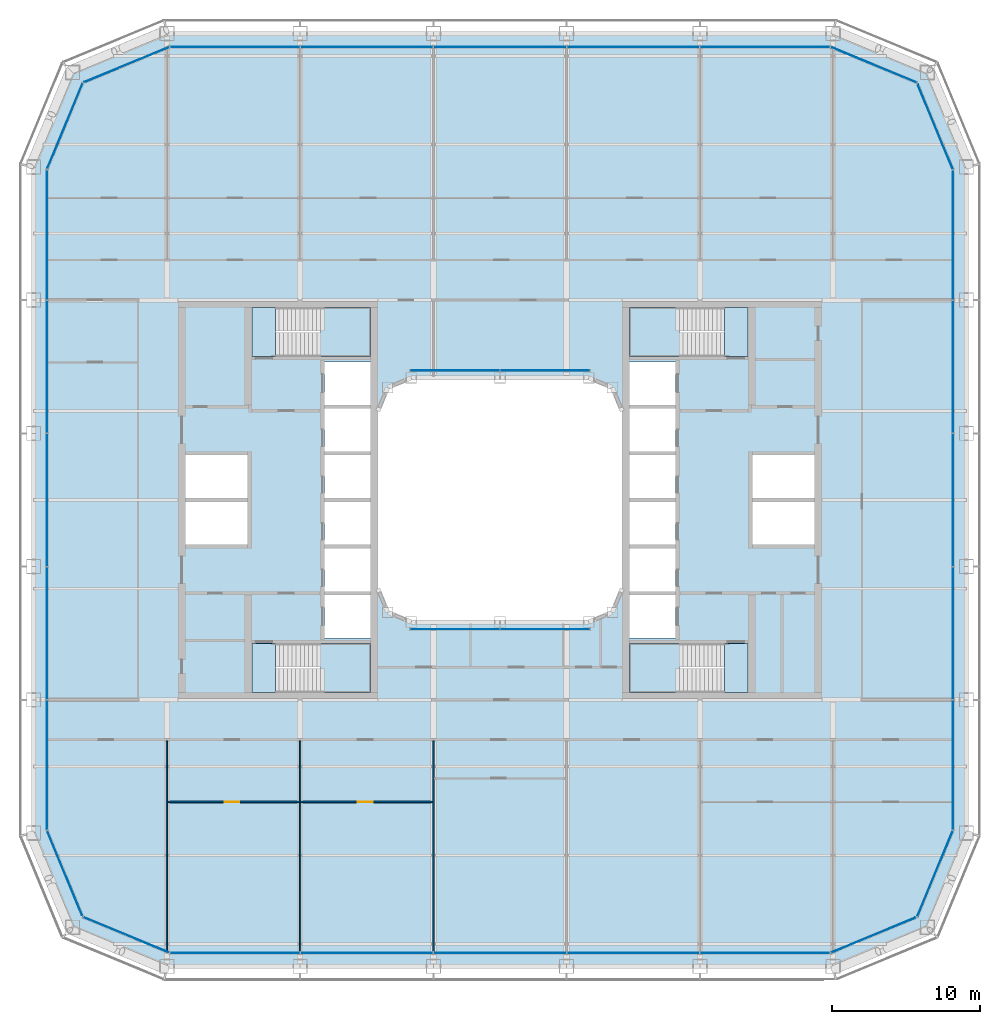
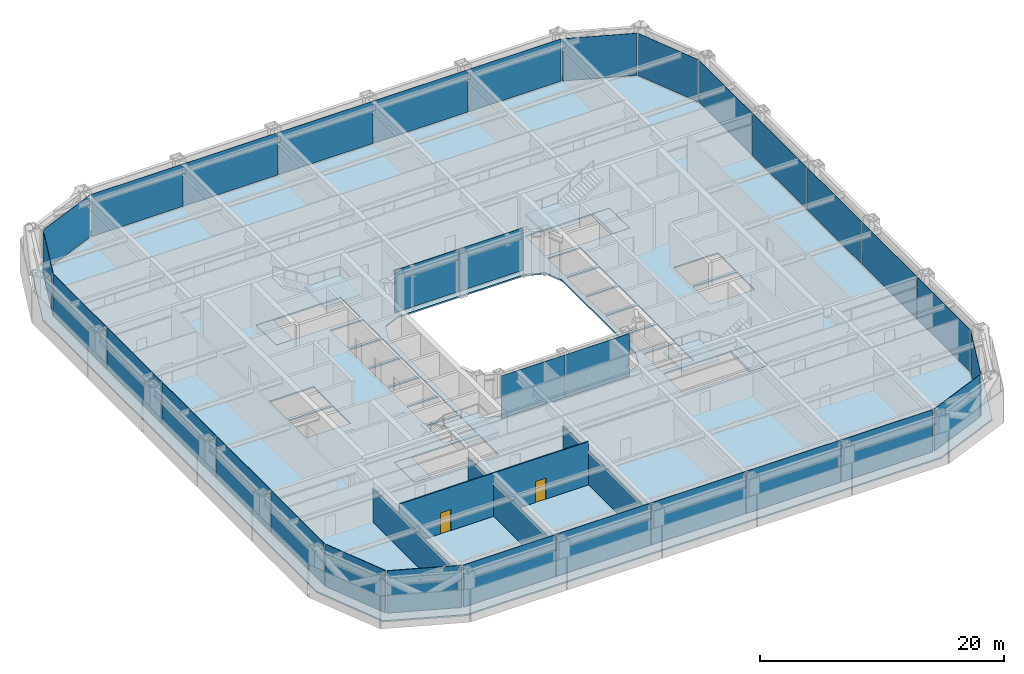
# One storey, part 11 of 24: 32 plates, 9 slabs, 5 walls, 2 doors, 2 openings, 18 elements without a shape of their own.
"""IFC4 building model written with IfcOpenShell, lengths in metres."""

import ifcopenshell
import ifcopenshell.guid

model = None  # the IFC model being written
_history = None  # IfcOwnerHistory: only IFC2X3 demands one
_inside = {}  # id of a spatial element -> (the spatial element, [elements in it])
_under = {}  # id of a project, library or spatial element -> (it, [spatial elements below it])
_declared = {}  # id of a project -> (the project, [libraries it declares])
_typed = {}  # id of a type object -> (the type object, [elements of that type])
_made_of = {}  # id of a material, layer set ... -> (it, [elements and type objects made of it])


def new_model(schema):
    """Start an empty IFC model of exactly this schema.

    Asked for "IFC4X3", IfcOpenShell would pick the latest addendum, in which some entities
    have other attributes; the version numbers below select the first issue.
    IFC2X3 requires an IfcOwnerHistory on every rooted entity: one is made here for all.
    """
    global model, _history
    if schema == "IFC4X3":
        model = ifcopenshell.file(schema_version=(4, 3, 0, 0))
    else:
        model = ifcopenshell.file(schema=schema)
    _inside.clear()
    _under.clear()
    _declared.clear()
    _typed.clear()
    _made_of.clear()
    _history = None
    if model.schema == "IFC2X3":
        org = make("IfcOrganization", Name="unknown")
        user = make(
            "IfcPersonAndOrganization",
            ThePerson=make("IfcPerson", FamilyName="unknown"),
            TheOrganization=org,
        )
        app = make(
            "IfcApplication",
            ApplicationDeveloper=org,
            Version="unknown",
            ApplicationFullName="unknown",
            ApplicationIdentifier="unknown",
        )
        _history = make(
            "IfcOwnerHistory",
            OwningUser=user,
            OwningApplication=app,
            ChangeAction="ADDED",
            CreationDate=0,
        )
    return model


def make(cls, **values):
    """One entity of the class cls with the attributes given. An attribute that is None is left unset."""
    return model.create_entity(
        cls, **{name: value for name, value in values.items() if value is not None}
    )


def rooted(cls, **values):
    """An entity with a GlobalId (a new one), such as an element, a storey or a relation."""
    return make(cls, GlobalId=ifcopenshell.guid.new(), OwnerHistory=_history, **values)


def si_unit(unit_type, name, prefix=None):
    """IfcSIUnit, for example si_unit("LENGTHUNIT", "METRE", prefix="MILLI")."""
    return make("IfcSIUnit", UnitType=unit_type, Prefix=prefix, Name=name)


def assignment(units):
    """IfcUnitAssignment: the units of a project."""
    return None if units is None else make("IfcUnitAssignment", Units=units)


def point(xyz):
    """IfcCartesianPoint."""
    return None if xyz is None else make("IfcCartesianPoint", Coordinates=xyz)


def direction(xyz):
    """IfcDirection."""
    return None if xyz is None else make("IfcDirection", DirectionRatios=xyz)


def frame(location, z_axis=None, x_axis=None):
    """IfcAxis2Placement3D, a coordinate frame: its origin and axes. An axis left out is left unset."""
    return make(
        "IfcAxis2Placement3D",
        Location=point(location),
        Axis=direction(z_axis),
        RefDirection=direction(x_axis),
    )


def frame_2d(location, x_axis=None):
    """IfcAxis2Placement2D, a coordinate frame in the plane: its origin and x axis."""
    return make(
        "IfcAxis2Placement2D", Location=point(location), RefDirection=direction(x_axis)
    )


def origin():
    """The frame at (0, 0, 0) with its axes left unset."""
    return frame((0.0, 0.0, 0.0))


def origin_2d():
    """The frame at (0, 0) in the plane with its x axis left unset."""
    return frame_2d((0.0, 0.0))


def place(relative_to, where):
    """IfcLocalPlacement: puts the frame where relative to a parent placement (None: the world)."""
    return make(
        "IfcLocalPlacement", PlacementRelTo=relative_to, RelativePlacement=where
    )


def context(
    kind, dimensions, precision=None, world=None, true_north=None, identifier=None
):
    """IfcGeometricRepresentationContext, for example the 3D "Model" context."""
    return make(
        "IfcGeometricRepresentationContext",
        ContextIdentifier=identifier,
        ContextType=kind,
        CoordinateSpaceDimension=dimensions,
        Precision=precision,
        WorldCoordinateSystem=world,
        TrueNorth=true_north,
    )


def subcontext(parent, identifier, kind, view, scale=None):
    """IfcGeometricRepresentationSubContext, for example "Body" below "Model"."""
    return make(
        "IfcGeometricRepresentationSubContext",
        ContextIdentifier=identifier,
        ContextType=kind,
        ParentContext=parent,
        TargetScale=scale,
        TargetView=view,
    )


def project(units=None, contexts=None):
    """IfcProject with its units and contexts."""
    return rooted(
        "IfcProject",
        Name="project",
        RepresentationContexts=contexts,
        UnitsInContext=assignment(units),
    )


def spatial(cls, under=None, at=None, **own):
    """A site, building, storey or space (cls), placed at a placement, below another one or the project."""
    s = rooted(cls, ObjectPlacement=at, **own)
    if under is not None:
        _under.setdefault(under.id(), (under, []))[1].append(s)
    return s


def polyline(points):
    """IfcPolyline through the points."""
    return make("IfcPolyline", Points=[point(p) for p in points])


def profile(cls, at=None, kind="AREA", **sizes):
    """A parametric profile (cls). Its sizes go by their IFC names, for example OverallWidth=200.0."""
    return make(cls, ProfileType=kind, Position=at, **sizes)


def rectangle(**sizes):
    """IfcRectangleProfileDef."""
    return profile("IfcRectangleProfileDef", **sizes)


def outline(outer, holes=None, kind="AREA"):
    """IfcArbitraryClosedProfileDef: a profile drawn as a closed curve; with holes, ...WithVoids."""
    if holes is None:
        return make("IfcArbitraryClosedProfileDef", ProfileType=kind, OuterCurve=outer)
    return make(
        "IfcArbitraryProfileDefWithVoids",
        ProfileType=kind,
        OuterCurve=outer,
        InnerCurves=holes,
    )


def extrude(swept, where, along, depth):
    """IfcExtrudedAreaSolid: the profile swept, set in the frame where, extruded along a direction by depth."""
    return make(
        "IfcExtrudedAreaSolid",
        SweptArea=swept,
        Position=where,
        ExtrudedDirection=direction(along),
        Depth=depth,
    )


def shape(context_of_items, identifier, shape_type, items):
    """IfcShapeRepresentation: the items that make up one representation, for example the "Body"."""
    return make(
        "IfcShapeRepresentation",
        ContextOfItems=context_of_items,
        RepresentationIdentifier=identifier,
        RepresentationType=shape_type,
        Items=items,
    )


def material(Name=None, Category=None):
    """IfcMaterial."""
    return make("IfcMaterial", Name=Name, Category=Category)


def layer(
    of_material, thickness, ventilated=None, Name=None, Category=None, Priority=None
):
    """IfcMaterialLayer: one layer of a wall or slab, of a material (None: an air gap)."""
    return make(
        "IfcMaterialLayer",
        Material=of_material,
        LayerThickness=thickness,
        IsVentilated=ventilated,
        Name=Name,
        Category=Category,
        Priority=Priority,
    )


def layer_set(layers, Name=None):
    """IfcMaterialLayerSet."""
    return make("IfcMaterialLayerSet", MaterialLayers=layers, LayerSetName=Name)


def made_of(thing, what):
    """Note that an element or type object is made of a material, layer set ...; save() writes the relation."""
    if what is not None:
        _made_of.setdefault(what.id(), (what, []))[1].append(thing)
    return thing


def type_object(cls, material=None, **own):
    """A type object (cls), such as IfcWallType, which elements share."""
    return made_of(rooted(cls, **own), material)


def element(
    cls,
    number,
    at=None,
    inside=None,
    cuts=None,
    type_object=None,
    material=None,
    context=None,
    identifier="Body",
    shape_type=None,
    held_by="IfcProductDefinitionShape",
    body=None,
    shapes=None,
    **own,
):
    """One element of the class cls, such as IfcWall. Its Tag is "e" and its number.

    at: its placement. inside: the storey or other place that contains it. cuts: it is an
    opening in that element (IfcRelVoidsElement). A single representation is given by context,
    identifier, shape_type and body (its items); several are given by shapes. held_by: the class
    of the entity that holds the representations. save() writes the other relations.
    """
    e = rooted(cls, Tag="e%d" % number, ObjectPlacement=at, **own)
    if body is not None:
        shapes = [shape(context, identifier, shape_type, body)]
    if shapes is not None:
        e.Representation = make(held_by, Representations=shapes)
    if inside is not None:
        _inside.setdefault(inside.id(), (inside, []))[1].append(e)
    if cuts is not None:
        rooted(
            "IfcRelVoidsElement", RelatingBuildingElement=cuts, RelatedOpeningElement=e
        )
    if type_object is not None:
        _typed.setdefault(type_object.id(), (type_object, []))[1].append(e)
    return made_of(e, material)


def fill(opening, filler):
    """IfcRelFillsElement: the door or window that sits in an opening."""
    return rooted(
        "IfcRelFillsElement",
        RelatingOpeningElement=opening,
        RelatedBuildingElement=filler,
    )


def aggregate(whole, parts):
    """IfcRelAggregates: a whole, such as a stair, and the parts it consists of."""
    return rooted("IfcRelAggregates", RelatingObject=whole, RelatedObjects=parts)


def save(model, path):
    """Write the relations noted so far, then the file.

    IfcRelAggregates (storeys below a building ...), IfcRelContainedInSpatialStructure (elements
    in a storey), IfcRelDefinesByType, IfcRelAssociatesMaterial and IfcRelDeclares: one each for
    every whole, place, type object, material and project.
    """
    for whole, parts in _under.values():
        aggregate(whole, parts)
    for where, things in _inside.values():
        rooted(
            "IfcRelContainedInSpatialStructure",
            RelatedElements=things,
            RelatingStructure=where,
        )
    for kind, things in _typed.values():
        rooted("IfcRelDefinesByType", RelatedObjects=things, RelatingType=kind)
    for what, things in _made_of.values():
        rooted("IfcRelAssociatesMaterial", RelatedObjects=things, RelatingMaterial=what)
    for by, libraries in _declared.values():
        rooted("IfcRelDeclares", RelatingContext=by, RelatedDefinitions=libraries)
    model.write(path)


model = new_model("IFC4")

# Units and contexts
model_context = context("Model", 3, precision=1e-05, world=origin(), true_north=direction((0.0, 1.0)))
body_context = subcontext(model_context, "Body", "Model", "MODEL_VIEW")
ifc_project = project(units=[si_unit("LENGTHUNIT", "METRE"), si_unit("AREAUNIT", "SQUARE_METRE"), si_unit("VOLUMEUNIT", "CUBIC_METRE"), si_unit("PLANEANGLEUNIT", "RADIAN"), si_unit("MASSUNIT", "GRAM", prefix="KILO")], contexts=[model_context])

# Site, building, storey
site_placement = place(None, origin())
site = spatial("IfcSite", under=ifc_project, at=site_placement, CompositionType="ELEMENT")
building_placement = place(site_placement, origin())
building = spatial("IfcBuilding", under=site, at=building_placement, Name="Siwar Civic Tower", CompositionType="ELEMENT")
storey_placement = place(building_placement, frame((0.0, 0.0, 76.199951171875)))
storey = spatial("IfcBuildingStorey", under=building, at=storey_placement, Name="L16", CompositionType="ELEMENT", Elevation=76.199951171875)

# Stair, slabs
ifc_material_1 = material(Name="Concrete C40/50", Category="concrete")
stair_type = type_object("IfcStairType", Name="CORE-STAIR", PredefinedType="TWO_STRAIGHT_RUN_STAIR", material=ifc_material_1)
stair_1_placement = place(storey_placement, origin())
stair_1 = element("IfcStair", 1, at=stair_1_placement, inside=storey, type_object=stair_type, Name="Exit stair ST1", PredefinedType="TWO_STRAIGHT_RUN_STAIR")
ifc_material_2 = material(Name="Concrete C40/50", Category="concrete")
ifc_layer_1 = layer(ifc_material_2, 0.300048828125)
ifc_layer_set_1 = layer_set([ifc_layer_1], Name="Concrete C40/50")
slab_type_1 = type_object("IfcSlabType", Name="CORE-STAIR-LANDING", PredefinedType="LANDING", material=ifc_layer_set_1)
slab_1_placement = place(storey_placement, frame((0.0, 0.0, -0.300048828125)))
slab_1 = element("IfcSlab", 2, at=slab_1_placement, type_object=slab_type_1, Name="ST1 landing 1", PredefinedType="LANDING", context=body_context, shape_type="SweptSolid", body=[
    extrude(outline(polyline([(-15.14990234375, 13.0), (-16.75, 13.0), (-16.75, 9.699951171875), (-15.14990234375, 9.699951171875), (-15.14990234375, 13.0)])), origin(), (0.0, 0.0, 1.0), 0.300048828125),
])
slab_2_placement = place(storey_placement, frame((0.0, 0.0, 1.949951171875)))
slab_2 = element("IfcSlab", 3, at=slab_2_placement, type_object=slab_type_1, Name="ST1 landing 2", PredefinedType="LANDING", context=body_context, shape_type="SweptSolid", body=[
    extrude(outline(polyline([(-8.75, 13.0), (-12.139892578125, 13.0), (-12.139892578125, 9.699951171875), (-8.75, 9.699951171875), (-8.75, 13.0)])), origin(), (0.0, 0.0, 1.0), 0.300048828125),
])
aggregate(stair_1, [slab_1, slab_2])

stair_2_placement = place(storey_placement, origin())
stair_2 = element("IfcStair", 4, at=stair_2_placement, inside=storey, type_object=stair_type, Name="Exit stair ST2", PredefinedType="TWO_STRAIGHT_RUN_STAIR")
slab_3_placement = place(storey_placement, frame((0.0, 0.0, -0.300048828125)))
slab_3 = element("IfcSlab", 5, at=slab_3_placement, type_object=slab_type_1, Name="ST2 landing 1", PredefinedType="LANDING", context=body_context, shape_type="SweptSolid", body=[
    extrude(outline(polyline([(-15.14990234375, -9.699951171875), (-16.75, -9.699951171875), (-16.75, -13.0), (-15.14990234375, -13.0), (-15.14990234375, -9.699951171875)])), origin(), (0.0, 0.0, 1.0), 0.300048828125),
])
slab_4_placement = place(storey_placement, frame((0.0, 0.0, 1.949951171875)))
slab_4 = element("IfcSlab", 6, at=slab_4_placement, type_object=slab_type_1, Name="ST2 landing 2", PredefinedType="LANDING", context=body_context, shape_type="SweptSolid", body=[
    extrude(outline(polyline([(-8.75, -9.699951171875), (-12.139892578125, -9.699951171875), (-12.139892578125, -13.0), (-8.75, -13.0), (-8.75, -9.699951171875)])), origin(), (0.0, 0.0, 1.0), 0.300048828125),
])
aggregate(stair_2, [slab_3, slab_4])

stair_3_placement = place(storey_placement, origin())
stair_3 = element("IfcStair", 7, at=stair_3_placement, inside=storey, type_object=stair_type, Name="Exit stair ST3", PredefinedType="TWO_STRAIGHT_RUN_STAIR")
slab_5_placement = place(storey_placement, frame((0.0, 0.0, -0.300048828125)))
slab_5 = element("IfcSlab", 8, at=slab_5_placement, type_object=slab_type_1, Name="ST3 landing 1", PredefinedType="LANDING", context=body_context, shape_type="SweptSolid", body=[
    extrude(outline(polyline([(15.14990234375, 9.699951171875), (16.75, 9.699951171875), (16.75, 13.0), (15.14990234375, 13.0), (15.14990234375, 9.699951171875)])), origin(), (0.0, 0.0, 1.0), 0.300048828125),
])
slab_6_placement = place(storey_placement, frame((0.0, 0.0, 1.949951171875)))
slab_6 = element("IfcSlab", 9, at=slab_6_placement, type_object=slab_type_1, Name="ST3 landing 2", PredefinedType="LANDING", context=body_context, shape_type="SweptSolid", body=[
    extrude(outline(polyline([(8.75, 9.699951171875), (12.139892578125, 9.699951171875), (12.139892578125, 13.0), (8.75, 13.0), (8.75, 9.699951171875)])), origin(), (0.0, 0.0, 1.0), 0.300048828125),
])
aggregate(stair_3, [slab_5, slab_6])

stair_4_placement = place(storey_placement, origin())
stair_4 = element("IfcStair", 10, at=stair_4_placement, inside=storey, type_object=stair_type, Name="Exit stair ST4", PredefinedType="TWO_STRAIGHT_RUN_STAIR")
slab_7_placement = place(storey_placement, frame((0.0, 0.0, -0.300048828125)))
slab_7 = element("IfcSlab", 11, at=slab_7_placement, type_object=slab_type_1, Name="ST4 landing 1", PredefinedType="LANDING", context=body_context, shape_type="SweptSolid", body=[
    extrude(outline(polyline([(15.14990234375, -13.0), (16.75, -13.0), (16.75, -9.699951171875), (15.14990234375, -9.699951171875), (15.14990234375, -13.0)])), origin(), (0.0, 0.0, 1.0), 0.300048828125),
])
slab_8_placement = place(storey_placement, frame((0.0, 0.0, 1.949951171875)))
slab_8 = element("IfcSlab", 12, at=slab_8_placement, type_object=slab_type_1, Name="ST4 landing 2", PredefinedType="LANDING", context=body_context, shape_type="SweptSolid", body=[
    extrude(outline(polyline([(8.75, -13.0), (12.139892578125, -13.0), (12.139892578125, -9.699951171875), (8.75, -9.699951171875), (8.75, -13.0)])), origin(), (0.0, 0.0, 1.0), 0.300048828125),
])
aggregate(stair_4, [slab_7, slab_8])

# Curtain wall, plates
ifc_material_3 = material(Name="Aluminium and glass", Category="aluminium")
ifc_layer_2 = layer(ifc_material_3, 0.219970703125)
ifc_layer_set_2 = layer_set([ifc_layer_2], Name="Aluminium and glass")
curtain_wall_type_1 = type_object("IfcCurtainWallType", Name="ENV-CW-A", PredefinedType="NOTDEFINED", material=ifc_layer_set_2)
curtain_wall_1_placement = place(storey_placement, origin())
curtain_wall_1 = element("IfcCurtainWall", 13, at=curtain_wall_1_placement, inside=storey, type_object=curtain_wall_type_1, Name="Curtain wall A S", PredefinedType="NOTDEFINED")
ifc_material_4 = material(Name="Glass clear laminated", Category="glass")
ifc_layer_3 = layer(ifc_material_4, 0.035888671875)
ifc_layer_set_3 = layer_set([ifc_layer_3], Name="Glass clear laminated")
plate_type_1 = type_object("IfcPlateType", Name="ENV-PANEL-A", PredefinedType="CURTAIN_PANEL", material=ifc_layer_set_3)
plate_1_placement = place(storey_placement, frame((-17.910400390625, -30.60009765625, 0.1201171875), z_axis=(0.0, 0.0, 1.0), x_axis=(1.0, 0.0, 0.0)))
plate_1 = element("IfcPlate", 14, at=plate_1_placement, type_object=plate_type_1, Name="Curtain panel A S 1", PredefinedType="CURTAIN_PANEL", context=body_context, shape_type="SweptSolid", body=[
    extrude(rectangle(XDim=8.7509765625, YDim=0.035888671875, at=origin_2d()), origin(), (0.0, 0.0, 1.0), 4.22998046875),
])
plate_2_placement = place(storey_placement, frame((-9.0, -30.60009765625, 0.1201171875), z_axis=(0.0, 0.0, 1.0), x_axis=(1.0, 0.0, 0.0)))
plate_2 = element("IfcPlate", 15, at=plate_2_placement, type_object=plate_type_1, Name="Curtain panel A S 2", PredefinedType="CURTAIN_PANEL", context=body_context, shape_type="SweptSolid", body=[
    extrude(rectangle(XDim=8.929931640625, YDim=0.035888671875, at=origin_2d()), origin(), (0.0, 0.0, 1.0), 4.22998046875),
])
plate_3_placement = place(storey_placement, frame((0.0, -30.60009765625, 0.1201171875), z_axis=(0.0, 0.0, 1.0), x_axis=(1.0, 0.0, 0.0)))
plate_3 = element("IfcPlate", 16, at=plate_3_placement, type_object=plate_type_1, Name="Curtain panel A S 3", PredefinedType="CURTAIN_PANEL", context=body_context, shape_type="SweptSolid", body=[
    extrude(rectangle(XDim=8.929931640625, YDim=0.035888671875, at=origin_2d()), origin(), (0.0, 0.0, 1.0), 4.22998046875),
])
plate_4_placement = place(storey_placement, frame((9.0, -30.60009765625, 0.1201171875), z_axis=(0.0, 0.0, 1.0), x_axis=(1.0, 0.0, 0.0)))
plate_4 = element("IfcPlate", 17, at=plate_4_placement, type_object=plate_type_1, Name="Curtain panel A S 4", PredefinedType="CURTAIN_PANEL", context=body_context, shape_type="SweptSolid", body=[
    extrude(rectangle(XDim=8.929931640625, YDim=0.035888671875, at=origin_2d()), origin(), (0.0, 0.0, 1.0), 4.22998046875),
])
plate_5_placement = place(storey_placement, frame((17.86669921875, -30.60009765625, 0.1201171875), z_axis=(0.0, 0.0, 1.0), x_axis=(1.0, 0.0, 0.0)))
plate_5 = element("IfcPlate", 18, at=plate_5_placement, type_object=plate_type_1, Name="Curtain panel A S 5", PredefinedType="CURTAIN_PANEL", context=body_context, shape_type="SweptSolid", body=[
    extrude(rectangle(XDim=8.663330078125, YDim=0.035888671875, at=origin_2d()), origin(), (0.0, 0.0, 1.0), 4.22998046875),
])
aggregate(curtain_wall_1, [plate_1, plate_2, plate_3, plate_4, plate_5])

curtain_wall_2_placement = place(storey_placement, origin())
curtain_wall_2 = element("IfcCurtainWall", 19, at=curtain_wall_2_placement, inside=storey, type_object=curtain_wall_type_1, Name="Curtain wall A E", PredefinedType="NOTDEFINED")
plate_6_placement = place(storey_placement, frame((30.60009765625, -17.910400390625, 0.1201171875), z_axis=(0.0, 0.0, 1.0), x_axis=(0.0, 1.0, 0.0)))
plate_6 = element("IfcPlate", 20, at=plate_6_placement, type_object=plate_type_1, Name="Curtain panel A E 1", PredefinedType="CURTAIN_PANEL", context=body_context, shape_type="SweptSolid", body=[
    extrude(rectangle(XDim=8.7509765625, YDim=0.035888671875, at=origin_2d()), origin(), (0.0, 0.0, 1.0), 4.22998046875),
])
plate_7_placement = place(storey_placement, frame((30.60009765625, -9.0, 0.1201171875), z_axis=(0.0, 0.0, 1.0), x_axis=(0.0, 1.0, 0.0)))
plate_7 = element("IfcPlate", 21, at=plate_7_placement, type_object=plate_type_1, Name="Curtain panel A E 2", PredefinedType="CURTAIN_PANEL", context=body_context, shape_type="SweptSolid", body=[
    extrude(rectangle(XDim=8.929931640625, YDim=0.035888671875, at=origin_2d()), origin(), (0.0, 0.0, 1.0), 4.22998046875),
])
plate_8_placement = place(storey_placement, frame((30.60009765625, 0.0, 0.1201171875), z_axis=(0.0, 0.0, 1.0), x_axis=(0.0, 1.0, 0.0)))
plate_8 = element("IfcPlate", 22, at=plate_8_placement, type_object=plate_type_1, Name="Curtain panel A E 3", PredefinedType="CURTAIN_PANEL", context=body_context, shape_type="SweptSolid", body=[
    extrude(rectangle(XDim=8.929931640625, YDim=0.035888671875, at=origin_2d()), origin(), (0.0, 0.0, 1.0), 4.22998046875),
])
plate_9_placement = place(storey_placement, frame((30.60009765625, 9.0, 0.1201171875), z_axis=(0.0, 0.0, 1.0), x_axis=(0.0, 1.0, 0.0)))
plate_9 = element("IfcPlate", 23, at=plate_9_placement, type_object=plate_type_1, Name="Curtain panel A E 4", PredefinedType="CURTAIN_PANEL", context=body_context, shape_type="SweptSolid", body=[
    extrude(rectangle(XDim=8.929931640625, YDim=0.035888671875, at=origin_2d()), origin(), (0.0, 0.0, 1.0), 4.22998046875),
])
plate_10_placement = place(storey_placement, frame((30.60009765625, 17.86669921875, 0.1201171875), z_axis=(0.0, 0.0, 1.0), x_axis=(0.0, 1.0, 0.0)))
plate_10 = element("IfcPlate", 24, at=plate_10_placement, type_object=plate_type_1, Name="Curtain panel A E 5", PredefinedType="CURTAIN_PANEL", context=body_context, shape_type="SweptSolid", body=[
    extrude(rectangle(XDim=8.663330078125, YDim=0.035888671875, at=origin_2d()), origin(), (0.0, 0.0, 1.0), 4.22998046875),
])
aggregate(curtain_wall_2, [plate_6, plate_7, plate_8, plate_9, plate_10])

curtain_wall_3_placement = place(storey_placement, origin())
curtain_wall_3 = element("IfcCurtainWall", 25, at=curtain_wall_3_placement, inside=storey, type_object=curtain_wall_type_1, Name="Curtain wall A N", PredefinedType="NOTDEFINED")
plate_11_placement = place(storey_placement, frame((17.910400390625, 30.60009765625, 0.1201171875), z_axis=(0.0, 0.0, 1.0), x_axis=(-1.0, 0.0, 0.0)))
plate_11 = element("IfcPlate", 26, at=plate_11_placement, type_object=plate_type_1, Name="Curtain panel A N 1", PredefinedType="CURTAIN_PANEL", context=body_context, shape_type="SweptSolid", body=[
    extrude(rectangle(XDim=8.7509765625, YDim=0.035888671875, at=origin_2d()), origin(), (0.0, 0.0, 1.0), 4.22998046875),
])
plate_12_placement = place(storey_placement, frame((9.0, 30.60009765625, 0.1201171875), z_axis=(0.0, 0.0, 1.0), x_axis=(-1.0, 0.0, 0.0)))
plate_12 = element("IfcPlate", 27, at=plate_12_placement, type_object=plate_type_1, Name="Curtain panel A N 2", PredefinedType="CURTAIN_PANEL", context=body_context, shape_type="SweptSolid", body=[
    extrude(rectangle(XDim=8.929931640625, YDim=0.035888671875, at=origin_2d()), origin(), (0.0, 0.0, 1.0), 4.22998046875),
])
plate_13_placement = place(storey_placement, frame((0.0, 30.60009765625, 0.1201171875), z_axis=(0.0, 0.0, 1.0), x_axis=(-1.0, 0.0, 0.0)))
plate_13 = element("IfcPlate", 28, at=plate_13_placement, type_object=plate_type_1, Name="Curtain panel A N 3", PredefinedType="CURTAIN_PANEL", context=body_context, shape_type="SweptSolid", body=[
    extrude(rectangle(XDim=8.929931640625, YDim=0.035888671875, at=origin_2d()), origin(), (0.0, 0.0, 1.0), 4.22998046875),
])
plate_14_placement = place(storey_placement, frame((-9.0, 30.60009765625, 0.1201171875), z_axis=(0.0, 0.0, 1.0), x_axis=(-1.0, 0.0, 0.0)))
plate_14 = element("IfcPlate", 29, at=plate_14_placement, type_object=plate_type_1, Name="Curtain panel A N 4", PredefinedType="CURTAIN_PANEL", context=body_context, shape_type="SweptSolid", body=[
    extrude(rectangle(XDim=8.929931640625, YDim=0.035888671875, at=origin_2d()), origin(), (0.0, 0.0, 1.0), 4.22998046875),
])
plate_15_placement = place(storey_placement, frame((-17.86669921875, 30.60009765625, 0.1201171875), z_axis=(0.0, 0.0, 1.0), x_axis=(-1.0, 0.0, 0.0)))
plate_15 = element("IfcPlate", 30, at=plate_15_placement, type_object=plate_type_1, Name="Curtain panel A N 5", PredefinedType="CURTAIN_PANEL", context=body_context, shape_type="SweptSolid", body=[
    extrude(rectangle(XDim=8.663330078125, YDim=0.035888671875, at=origin_2d()), origin(), (0.0, 0.0, 1.0), 4.22998046875),
])
aggregate(curtain_wall_3, [plate_11, plate_12, plate_13, plate_14, plate_15])

curtain_wall_4_placement = place(storey_placement, origin())
curtain_wall_4 = element("IfcCurtainWall", 31, at=curtain_wall_4_placement, inside=storey, type_object=curtain_wall_type_1, Name="Curtain wall A W", PredefinedType="NOTDEFINED")
plate_16_placement = place(storey_placement, frame((-30.60009765625, 17.910400390625, 0.1201171875), z_axis=(0.0, 0.0, 1.0), x_axis=(0.0, -1.0, 0.0)))
plate_16 = element("IfcPlate", 32, at=plate_16_placement, type_object=plate_type_1, Name="Curtain panel A W 1", PredefinedType="CURTAIN_PANEL", context=body_context, shape_type="SweptSolid", body=[
    extrude(rectangle(XDim=8.7509765625, YDim=0.035888671875, at=origin_2d()), origin(), (0.0, 0.0, 1.0), 4.22998046875),
])
plate_17_placement = place(storey_placement, frame((-30.60009765625, 9.0, 0.1201171875), z_axis=(0.0, 0.0, 1.0), x_axis=(0.0, -1.0, 0.0)))
plate_17 = element("IfcPlate", 33, at=plate_17_placement, type_object=plate_type_1, Name="Curtain panel A W 2", PredefinedType="CURTAIN_PANEL", context=body_context, shape_type="SweptSolid", body=[
    extrude(rectangle(XDim=8.929931640625, YDim=0.035888671875, at=origin_2d()), origin(), (0.0, 0.0, 1.0), 4.22998046875),
])
plate_18_placement = place(storey_placement, frame((-30.60009765625, 0.0, 0.1201171875), z_axis=(0.0, 0.0, 1.0), x_axis=(0.0, -1.0, 0.0)))
plate_18 = element("IfcPlate", 34, at=plate_18_placement, type_object=plate_type_1, Name="Curtain panel A W 3", PredefinedType="CURTAIN_PANEL", context=body_context, shape_type="SweptSolid", body=[
    extrude(rectangle(XDim=8.929931640625, YDim=0.035888671875, at=origin_2d()), origin(), (0.0, 0.0, 1.0), 4.22998046875),
])
plate_19_placement = place(storey_placement, frame((-30.60009765625, -9.0, 0.1201171875), z_axis=(0.0, 0.0, 1.0), x_axis=(0.0, -1.0, 0.0)))
plate_19 = element("IfcPlate", 35, at=plate_19_placement, type_object=plate_type_1, Name="Curtain panel A W 4", PredefinedType="CURTAIN_PANEL", context=body_context, shape_type="SweptSolid", body=[
    extrude(rectangle(XDim=8.929931640625, YDim=0.035888671875, at=origin_2d()), origin(), (0.0, 0.0, 1.0), 4.22998046875),
])
plate_20_placement = place(storey_placement, frame((-30.60009765625, -17.86669921875, 0.1201171875), z_axis=(0.0, 0.0, 1.0), x_axis=(0.0, -1.0, 0.0)))
plate_20 = element("IfcPlate", 36, at=plate_20_placement, type_object=plate_type_1, Name="Curtain panel A W 5", PredefinedType="CURTAIN_PANEL", context=body_context, shape_type="SweptSolid", body=[
    extrude(rectangle(XDim=8.663330078125, YDim=0.035888671875, at=origin_2d()), origin(), (0.0, 0.0, 1.0), 4.22998046875),
])
aggregate(curtain_wall_4, [plate_16, plate_17, plate_18, plate_19, plate_20])

# Curtain wall, plate
ifc_material_5 = material(Name="Aluminium clad insulated panel", Category="aluminium")
ifc_layer_4 = layer(ifc_material_5, 0.219970703125)
ifc_layer_set_4 = layer_set([ifc_layer_4], Name="Aluminium clad insulated panel")
curtain_wall_type_2 = type_object("IfcCurtainWallType", Name="ENV-CW-AX", PredefinedType="NOTDEFINED", material=ifc_layer_set_4)
curtain_wall_5_placement = place(storey_placement, origin())
curtain_wall_5 = element("IfcCurtainWall", 37, at=curtain_wall_5_placement, inside=storey, type_object=curtain_wall_type_2, Name="Curtain wall A SE1", PredefinedType="NOTDEFINED")
ifc_material_6 = material(Name="Aluminium clad insulated panel", Category="aluminium")
ifc_layer_5 = layer(ifc_material_6, 0.035888671875)
ifc_layer_set_5 = layer_set([ifc_layer_5], Name="Aluminium clad insulated panel")
plate_type_2 = type_object("IfcPlateType", Name="ENV-PANEL-AX", PredefinedType="CURTAIN_PANEL", material=ifc_layer_set_5)
plate_21_placement = place(storey_placement, frame((25.20751953125, -29.404296875, 0.1201171875), z_axis=(0.0, 0.0, 1.0), x_axis=(0.923879532511, 0.382683432365, 0.0)))
plate_21 = element("IfcPlate", 38, at=plate_21_placement, type_object=plate_type_2, Name="Curtain panel A SE1 1", PredefinedType="CURTAIN_PANEL", context=body_context, shape_type="SweptSolid", body=[
    extrude(rectangle(XDim=6.178955078125, YDim=0.035888671875, at=origin_2d()), origin(), (0.0, 0.0, 1.0), 4.22998046875),
])
aggregate(curtain_wall_5, [plate_21])

curtain_wall_6_placement = place(storey_placement, origin())
curtain_wall_6 = element("IfcCurtainWall", 39, at=curtain_wall_6_placement, inside=storey, type_object=curtain_wall_type_2, Name="Curtain wall A SE2", PredefinedType="NOTDEFINED")
plate_22_placement = place(storey_placement, frame((29.370849609375, -25.28857421875, 0.1201171875), z_axis=(0.0, 0.0, 1.0), x_axis=(0.382683432365, 0.923879532511, 0.0)))
plate_22 = element("IfcPlate", 40, at=plate_22_placement, type_object=plate_type_2, Name="Curtain panel A SE2 1", PredefinedType="CURTAIN_PANEL", context=body_context, shape_type="SweptSolid", body=[
    extrude(rectangle(XDim=6.178955078125, YDim=0.035888671875, at=origin_2d()), origin(), (0.0, 0.0, 1.0), 4.22998046875),
])
aggregate(curtain_wall_6, [plate_22])

curtain_wall_7_placement = place(storey_placement, origin())
curtain_wall_7 = element("IfcCurtainWall", 41, at=curtain_wall_7_placement, inside=storey, type_object=curtain_wall_type_2, Name="Curtain wall A NE1", PredefinedType="NOTDEFINED")
plate_23_placement = place(storey_placement, frame((29.404296875, 25.20751953125, 0.1201171875), z_axis=(0.0, 0.0, 1.0), x_axis=(-0.382683432365, 0.923879532511, 0.0)))
plate_23 = element("IfcPlate", 42, at=plate_23_placement, type_object=plate_type_2, Name="Curtain panel A NE1 1", PredefinedType="CURTAIN_PANEL", context=body_context, shape_type="SweptSolid", body=[
    extrude(rectangle(XDim=6.178955078125, YDim=0.035888671875, at=origin_2d()), origin(), (0.0, 0.0, 1.0), 4.22998046875),
])
aggregate(curtain_wall_7, [plate_23])

curtain_wall_8_placement = place(storey_placement, origin())
curtain_wall_8 = element("IfcCurtainWall", 43, at=curtain_wall_8_placement, inside=storey, type_object=curtain_wall_type_2, Name="Curtain wall A NE2", PredefinedType="NOTDEFINED")
plate_24_placement = place(storey_placement, frame((25.28857421875, 29.370849609375, 0.1201171875), z_axis=(0.0, 0.0, 1.0), x_axis=(-0.923879532511, 0.382683432365, 0.0)))
plate_24 = element("IfcPlate", 44, at=plate_24_placement, type_object=plate_type_2, Name="Curtain panel A NE2 1", PredefinedType="CURTAIN_PANEL", context=body_context, shape_type="SweptSolid", body=[
    extrude(rectangle(XDim=6.178955078125, YDim=0.035888671875, at=origin_2d()), origin(), (0.0, 0.0, 1.0), 4.22998046875),
])
aggregate(curtain_wall_8, [plate_24])

curtain_wall_9_placement = place(storey_placement, origin())
curtain_wall_9 = element("IfcCurtainWall", 45, at=curtain_wall_9_placement, inside=storey, type_object=curtain_wall_type_2, Name="Curtain wall A NW1", PredefinedType="NOTDEFINED")
plate_25_placement = place(storey_placement, frame((-25.20751953125, 29.404296875, 0.1201171875), z_axis=(0.0, 0.0, 1.0), x_axis=(-0.923879532511, -0.382683432365, 0.0)))
plate_25 = element("IfcPlate", 46, at=plate_25_placement, type_object=plate_type_2, Name="Curtain panel A NW1 1", PredefinedType="CURTAIN_PANEL", context=body_context, shape_type="SweptSolid", body=[
    extrude(rectangle(XDim=6.178955078125, YDim=0.035888671875, at=origin_2d()), origin(), (0.0, 0.0, 1.0), 4.22998046875),
])
aggregate(curtain_wall_9, [plate_25])

curtain_wall_10_placement = place(storey_placement, origin())
curtain_wall_10 = element("IfcCurtainWall", 47, at=curtain_wall_10_placement, inside=storey, type_object=curtain_wall_type_2, Name="Curtain wall A NW2", PredefinedType="NOTDEFINED")
plate_26_placement = place(storey_placement, frame((-29.370849609375, 25.28857421875, 0.1201171875), z_axis=(0.0, 0.0, 1.0), x_axis=(-0.382683432365, -0.923879532511, 0.0)))
plate_26 = element("IfcPlate", 48, at=plate_26_placement, type_object=plate_type_2, Name="Curtain panel A NW2 1", PredefinedType="CURTAIN_PANEL", context=body_context, shape_type="SweptSolid", body=[
    extrude(rectangle(XDim=6.178955078125, YDim=0.035888671875, at=origin_2d()), origin(), (0.0, 0.0, 1.0), 4.22998046875),
])
aggregate(curtain_wall_10, [plate_26])

curtain_wall_11_placement = place(storey_placement, origin())
curtain_wall_11 = element("IfcCurtainWall", 49, at=curtain_wall_11_placement, inside=storey, type_object=curtain_wall_type_2, Name="Curtain wall A SW1", PredefinedType="NOTDEFINED")
plate_27_placement = place(storey_placement, frame((-29.404296875, -25.20751953125, 0.1201171875), z_axis=(0.0, 0.0, 1.0), x_axis=(0.382683432365, -0.923879532511, 0.0)))
plate_27 = element("IfcPlate", 50, at=plate_27_placement, type_object=plate_type_2, Name="Curtain panel A SW1 1", PredefinedType="CURTAIN_PANEL", context=body_context, shape_type="SweptSolid", body=[
    extrude(rectangle(XDim=6.178955078125, YDim=0.035888671875, at=origin_2d()), origin(), (0.0, 0.0, 1.0), 4.22998046875),
])
aggregate(curtain_wall_11, [plate_27])

curtain_wall_12_placement = place(storey_placement, origin())
curtain_wall_12 = element("IfcCurtainWall", 51, at=curtain_wall_12_placement, inside=storey, type_object=curtain_wall_type_2, Name="Curtain wall A SW2", PredefinedType="NOTDEFINED")
plate_28_placement = place(storey_placement, frame((-25.28857421875, -29.370849609375, 0.1201171875), z_axis=(0.0, 0.0, 1.0), x_axis=(0.923879532511, -0.382683432365, 0.0)))
plate_28 = element("IfcPlate", 52, at=plate_28_placement, type_object=plate_type_2, Name="Curtain panel A SW2 1", PredefinedType="CURTAIN_PANEL", context=body_context, shape_type="SweptSolid", body=[
    extrude(rectangle(XDim=6.178955078125, YDim=0.035888671875, at=origin_2d()), origin(), (0.0, 0.0, 1.0), 4.22998046875),
])
aggregate(curtain_wall_12, [plate_28])

# Curtain wall, plates
ifc_material_7 = material(Name="Aluminium and glass", Category="aluminium")
ifc_layer_6 = layer(ifc_material_7, 0.179931640625)
ifc_layer_set_6 = layer_set([ifc_layer_6], Name="Aluminium and glass")
curtain_wall_type_3 = type_object("IfcCurtainWallType", Name="ENV-CW-W", PredefinedType="NOTDEFINED", material=ifc_layer_set_6)
curtain_wall_13_placement = place(storey_placement, origin())
curtain_wall_13 = element("IfcCurtainWall", 53, at=curtain_wall_13_placement, inside=storey, type_object=curtain_wall_type_3, Name="Curtain wall W WS", PredefinedType="NOTDEFINED")
ifc_material_8 = material(Name="Glass clear laminated", Category="glass")
ifc_layer_7 = layer(ifc_material_8, 0.031982421875)
ifc_layer_set_7 = layer_set([ifc_layer_7], Name="Glass clear laminated")
plate_type_3 = type_object("IfcPlateType", Name="ENV-PANEL-W", PredefinedType="CURTAIN_PANEL", material=ifc_layer_set_7)
plate_29_placement = place(storey_placement, frame((-3.04833984375, -8.735107421875, 0.10009765625), z_axis=(0.0, 0.0, 1.0), x_axis=(1.0, 0.0, 0.0)))
plate_29 = element("IfcPlate", 54, at=plate_29_placement, type_object=plate_type_3, Name="Curtain panel W WS 1", PredefinedType="CURTAIN_PANEL", context=body_context, shape_type="SweptSolid", body=[
    extrude(rectangle(XDim=6.036376953125, YDim=0.031982421875, at=origin_2d()), origin(), (0.0, 0.0, 1.0), 4.25),
])
plate_30_placement = place(storey_placement, frame((3.04833984375, -8.735107421875, 0.10009765625), z_axis=(0.0, 0.0, 1.0), x_axis=(1.0, 0.0, 0.0)))
plate_30 = element("IfcPlate", 55, at=plate_30_placement, type_object=plate_type_3, Name="Curtain panel W WS 2", PredefinedType="CURTAIN_PANEL", context=body_context, shape_type="SweptSolid", body=[
    extrude(rectangle(XDim=6.036376953125, YDim=0.031982421875, at=origin_2d()), origin(), (0.0, 0.0, 1.0), 4.25),
])
aggregate(curtain_wall_13, [plate_29, plate_30])

curtain_wall_14_placement = place(storey_placement, origin())
curtain_wall_14 = element("IfcCurtainWall", 56, at=curtain_wall_14_placement, inside=storey, type_object=curtain_wall_type_3, Name="Curtain wall W WN", PredefinedType="NOTDEFINED")
plate_31_placement = place(storey_placement, frame((3.04833984375, 8.735107421875, 0.10009765625), z_axis=(0.0, 0.0, 1.0), x_axis=(-1.0, 0.0, 0.0)))
plate_31 = element("IfcPlate", 57, at=plate_31_placement, type_object=plate_type_3, Name="Curtain panel W WN 1", PredefinedType="CURTAIN_PANEL", context=body_context, shape_type="SweptSolid", body=[
    extrude(rectangle(XDim=6.036376953125, YDim=0.031982421875, at=origin_2d()), origin(), (0.0, 0.0, 1.0), 4.25),
])
plate_32_placement = place(storey_placement, frame((-3.04833984375, 8.735107421875, 0.10009765625), z_axis=(0.0, 0.0, 1.0), x_axis=(-1.0, 0.0, 0.0)))
plate_32 = element("IfcPlate", 58, at=plate_32_placement, type_object=plate_type_3, Name="Curtain panel W WN 2", PredefinedType="CURTAIN_PANEL", context=body_context, shape_type="SweptSolid", body=[
    extrude(rectangle(XDim=6.036376953125, YDim=0.031982421875, at=origin_2d()), origin(), (0.0, 0.0, 1.0), 4.25),
])
aggregate(curtain_wall_14, [plate_31, plate_32])

# Slab
ifc_material_9 = material(Name="Concrete C40/50", Category="concrete")
ifc_layer_8 = layer(ifc_material_9, 0.14990234375)
ifc_layer_set_8 = layer_set([ifc_layer_8], Name="Concrete C40/50")
slab_type_2 = type_object("IfcSlabType", Name="STR-FLOOR-DECK-150", PredefinedType="FLOOR", material=ifc_layer_set_8)
slab_9_placement = place(storey_placement, frame((0.0, 0.0, -0.14990234375)))
element("IfcSlab", 59, at=slab_9_placement, inside=storey, type_object=slab_type_2, Name="L16/slab/1", PredefinedType="FLOOR", context=body_context, shape_type="SweptSolid", body=[
    extrude(outline(polyline([(-22.5, -31.5), (22.5, -31.5), (28.864013671875, -28.864013671875), (31.5, -22.5), (31.5, 22.5), (28.864013671875, 28.864013671875), (22.5, 31.5), (-22.5, 31.5), (-28.864013671875, 28.864013671875), (-31.5, 22.5), (-31.5, -22.5), (-28.864013671875, -28.864013671875), (-22.5, -31.5)]), holes=[polyline([(21.25, 3.02490234375), (21.25, 0.125), (17.050048828125, 0.125), (17.050048828125, 3.02490234375), (21.25, 3.02490234375)]), polyline([(17.050048828125, -0.125), (21.25, -0.125), (21.25, -3.02490234375), (17.050048828125, -3.02490234375), (17.050048828125, -0.125)]), polyline([(16.75, 13.0), (16.75, 9.699951171875), (8.75, 9.699951171875), (8.75, 13.0), (16.75, 13.0)]), polyline([(8.75, -9.699951171875), (16.75, -9.699951171875), (16.75, -13.0), (8.75, -13.0), (8.75, -9.699951171875)]), polyline([(11.85009765625, 9.324951171875), (11.85009765625, 6.425048828125), (8.75, 6.425048828125), (8.75, 9.324951171875), (11.85009765625, 9.324951171875)]), polyline([(11.85009765625, 3.02490234375), (11.85009765625, 0.125), (8.75, 0.125), (8.75, 3.02490234375), (11.85009765625, 3.02490234375)]), polyline([(11.85009765625, -0.125), (11.85009765625, -3.02490234375), (8.75, -3.02490234375), (8.75, -0.125), (11.85009765625, -0.125)]), polyline([(11.85009765625, -3.27490234375), (11.85009765625, -6.175048828125), (8.75, -6.175048828125), (8.75, -3.27490234375), (11.85009765625, -3.27490234375)]), polyline([(8.75, 6.175048828125), (11.85009765625, 6.175048828125), (11.85009765625, 3.27490234375), (8.75, 3.27490234375), (8.75, 6.175048828125)]), polyline([(8.75, -6.425048828125), (11.85009765625, -6.425048828125), (11.85009765625, -9.324951171875), (8.75, -9.324951171875), (8.75, -6.425048828125)]), polyline([(-6.0, 8.25), (6.0, 8.25), (7.591064453125, 7.591064453125), (8.25, 6.0), (8.25, -6.0), (7.591064453125, -7.591064453125), (6.0, -8.25), (-6.0, -8.25), (-7.591064453125, -7.591064453125), (-8.25, -6.0), (-8.25, 6.0), (-7.591064453125, 7.591064453125), (-6.0, 8.25)]), polyline([(-8.75, 9.699951171875), (-16.75, 9.699951171875), (-16.75, 13.0), (-8.75, 13.0), (-8.75, 9.699951171875)]), polyline([(-8.75, 0.125), (-11.85009765625, 0.125), (-11.85009765625, 3.02490234375), (-8.75, 3.02490234375), (-8.75, 0.125)]), polyline([(-8.75, -6.175048828125), (-11.85009765625, -6.175048828125), (-11.85009765625, -3.27490234375), (-8.75, -3.27490234375), (-8.75, -6.175048828125)]), polyline([(-8.75, -9.324951171875), (-11.85009765625, -9.324951171875), (-11.85009765625, -6.425048828125), (-8.75, -6.425048828125), (-8.75, -9.324951171875)]), polyline([(-8.75, -13.0), (-16.75, -13.0), (-16.75, -9.699951171875), (-8.75, -9.699951171875), (-8.75, -13.0)]), polyline([(-11.85009765625, 6.425048828125), (-11.85009765625, 9.324951171875), (-8.75, 9.324951171875), (-8.75, 6.425048828125), (-11.85009765625, 6.425048828125)]), polyline([(-11.85009765625, 3.27490234375), (-11.85009765625, 6.175048828125), (-8.75, 6.175048828125), (-8.75, 3.27490234375), (-11.85009765625, 3.27490234375)]), polyline([(-11.85009765625, -3.02490234375), (-11.85009765625, -0.125), (-8.75, -0.125), (-8.75, -3.02490234375), (-11.85009765625, -3.02490234375)]), polyline([(-21.25, -3.02490234375), (-21.25, -0.125), (-17.050048828125, -0.125), (-17.050048828125, -3.02490234375), (-21.25, -3.02490234375)]), polyline([(-17.050048828125, 0.125), (-21.25, 0.125), (-21.25, 3.02490234375), (-17.050048828125, 3.02490234375), (-17.050048828125, 0.125)])]), origin(), (0.0, 0.0, 1.0), 0.14990234375),
])

# Wall, openings, doors
ifc_material_10 = material(Name="Gypsum board on steel studs", Category="steel")
ifc_layer_9 = layer(ifc_material_10, 0.10009765625)
ifc_layer_set_9 = layer_set([ifc_layer_9], Name="Gypsum board on steel studs")
wall_type = type_object("IfcWallType", Name="PARTITION 100 GYPSUM", PredefinedType="PARTITIONING", material=ifc_layer_set_9)
wall_1_placement = place(storey_placement, frame((-22.449951171875, -20.39990234375, 0.0), z_axis=(0.0, 0.0, 1.0), x_axis=(1.0, 0.0, 0.0)))
wall_1 = element("IfcWall", 60, at=wall_1_placement, inside=storey, type_object=wall_type, Name="L16/wall/P01", PredefinedType="PARTITIONING", context=body_context, shape_type="SweptSolid", body=[
    extrude(rectangle(XDim=17.89990234375, YDim=0.10009765625, at=frame_2d((8.949951171875, 0.0))), origin(), (0.0, 0.0, 1.0), 4.35009765625),
])
opening_1_placement = place(wall_1_placement, frame((3.85009765625, 0.0, 0.0)))
opening_1 = element("IfcOpeningElement", 61, at=opening_1_placement, cuts=wall_1, Name="Opening D2", PredefinedType="OPENING", context=body_context, shape_type="SweptSolid", body=[
    extrude(rectangle(XDim=1.0, YDim=2.10009765625, at=frame_2d((0.5, 1.050048828125))), frame((0.0, 0.06005859375, 0.0), z_axis=(0.0, -1.0, 0.0), x_axis=(1.0, 0.0, 0.0)), (0.0, 0.0, 1.0), 0.1201171875),
])
opening_2_placement = place(wall_1_placement, frame((12.85009765625, 0.0, 0.0)))
opening_2 = element("IfcOpeningElement", 62, at=opening_2_placement, cuts=wall_1, Name="Opening D2", PredefinedType="OPENING", context=body_context, shape_type="SweptSolid", body=[
    extrude(rectangle(XDim=1.0, YDim=2.10009765625, at=frame_2d((0.5, 1.050048828125))), frame((0.0, 0.06005859375, 0.0), z_axis=(0.0, -1.0, 0.0), x_axis=(1.0, 0.0, 0.0)), (0.0, 0.0, 1.0), 0.1201171875),
])
ifc_material_11 = material(Name="Timber, painted", Category="wood")
door_type = type_object("IfcDoorType", Name="DOOR 1000 X 2100", OperationType="SINGLE_SWING_LEFT", PredefinedType="DOOR", material=ifc_material_11)
door_1_placement = place(opening_1_placement, origin())
door_1 = element("IfcDoor", 63, at=door_1_placement, inside=storey, type_object=door_type, Name="L16-D12", OperationType="SINGLE_SWING_RIGHT", OverallHeight=2.10009765625, OverallWidth=1.0, PredefinedType="DOOR", context=body_context, shape_type="SweptSolid", body=[
    extrude(rectangle(XDim=1.0, YDim=2.10009765625, at=frame_2d((0.5, 1.050048828125))), frame((0.0, 0.02490234375, 0.0), z_axis=(0.0, -1.0, 0.0), x_axis=(1.0, 0.0, 0.0)), (0.0, 0.0, 1.0), 0.050048828125),
])
fill(opening_1, door_1)
door_2_placement = place(opening_2_placement, origin())
door_2 = element("IfcDoor", 64, at=door_2_placement, inside=storey, type_object=door_type, Name="L16-D14", OperationType="SINGLE_SWING_RIGHT", OverallHeight=2.10009765625, OverallWidth=1.0, PredefinedType="DOOR", context=body_context, shape_type="SweptSolid", body=[
    extrude(rectangle(XDim=1.0, YDim=2.10009765625, at=frame_2d((0.5, 1.050048828125))), frame((0.0, 0.02490234375, 0.0), z_axis=(0.0, -1.0, 0.0), x_axis=(1.0, 0.0, 0.0)), (0.0, 0.0, 1.0), 0.050048828125),
])
fill(opening_2, door_2)

# Walls
wall_2_placement = place(storey_placement, frame((-22.5, -30.427978515625, 0.0), z_axis=(0.0, 0.0, 1.0), x_axis=(0.0, 1.0, 0.0)))
element("IfcWall", 65, at=wall_2_placement, inside=storey, type_object=wall_type, Name="L16/wall/P17", PredefinedType="PARTITIONING", context=body_context, shape_type="SweptSolid", body=[
    extrude(rectangle(XDim=14.153076171875, YDim=0.10009765625, at=frame_2d((7.07666015625, 0.0))), origin(), (0.0, 0.0, 1.0), 3.35009765625),
])
wall_3_placement = place(storey_placement, frame((-13.5, -30.510009765625, 0.0), z_axis=(0.0, 0.0, 1.0), x_axis=(0.0, 1.0, 0.0)))
element("IfcWall", 66, at=wall_3_placement, inside=storey, type_object=wall_type, Name="L16/wall/P20", PredefinedType="PARTITIONING", context=body_context, shape_type="SweptSolid", body=[
    extrude(rectangle(XDim=10.06005859375, YDim=0.10009765625, at=frame_2d((5.030029296875, 0.0))), origin(), (0.0, 0.0, 1.0), 3.35009765625),
])
wall_4_placement = place(storey_placement, frame((-13.5, -20.35009765625, 0.0), z_axis=(0.0, 0.0, 1.0), x_axis=(0.0, 1.0, 0.0)))
element("IfcWall", 67, at=wall_4_placement, inside=storey, type_object=wall_type, Name="L16/wall/P21", PredefinedType="PARTITIONING", context=body_context, shape_type="SweptSolid", body=[
    extrude(rectangle(XDim=4.0751953125, YDim=0.10009765625, at=frame_2d((2.03759765625, 0.0))), origin(), (0.0, 0.0, 1.0), 3.35009765625),
])
wall_5_placement = place(storey_placement, frame((-4.5, -30.510009765625, 0.0), z_axis=(0.0, 0.0, 1.0), x_axis=(0.0, 1.0, 0.0)))
element("IfcWall", 68, at=wall_5_placement, inside=storey, type_object=wall_type, Name="L16/wall/P24", PredefinedType="PARTITIONING", context=body_context, shape_type="SweptSolid", body=[
    extrude(rectangle(XDim=14.235107421875, YDim=0.10009765625, at=frame_2d((7.11767578125, 0.0))), origin(), (0.0, 0.0, 1.0), 3.35009765625),
])

save(model, "model.ifc")
